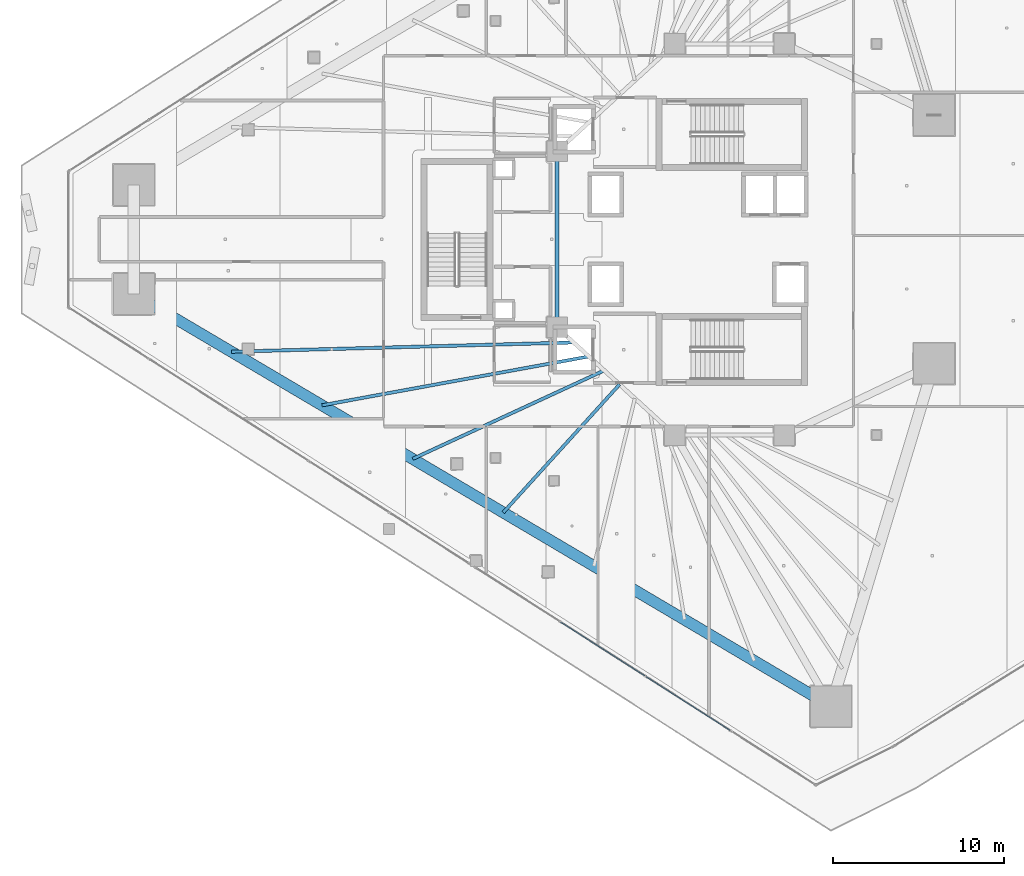
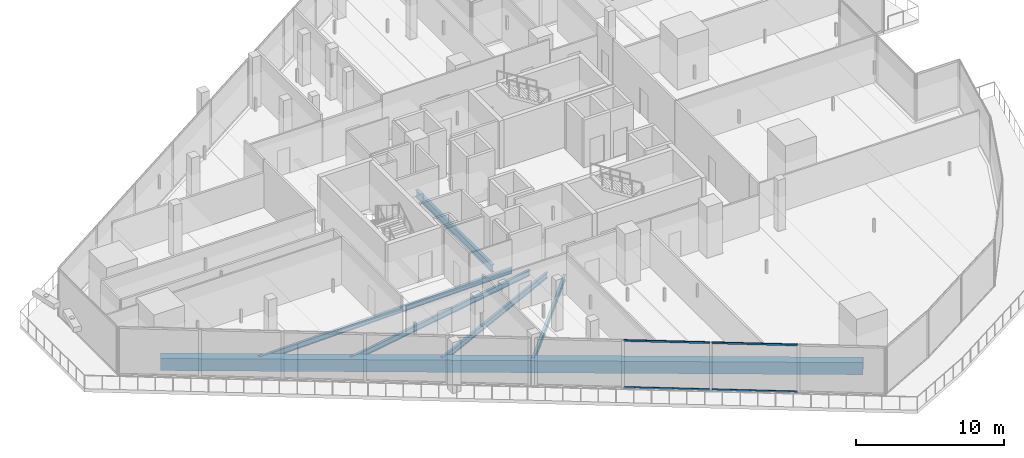
# One storey, part 6 of 47: 6 beams, 4 members, 1 element without a shape of its own.
"""IFC4 building model written with IfcOpenShell, lengths in metres."""

from ifc_helpers import new_model, si_unit, direction, frame, origin, origin_2d, place, context, subcontext, project, spatial, rectangle, hollow_rectangle, i_section, extrude, material, layer, layer_set, material_profile, profile_set, type_object, element, aggregate, save


model = new_model("IFC4")

# Units and contexts
model_context = context("Model", 3, precision=1e-05, world=origin(), true_north=direction((0.0, 1.0)))
body_context = subcontext(model_context, "Body", "Model", "MODEL_VIEW")
ifc_project = project(units=[si_unit("LENGTHUNIT", "METRE"), si_unit("AREAUNIT", "SQUARE_METRE"), si_unit("VOLUMEUNIT", "CUBIC_METRE"), si_unit("PLANEANGLEUNIT", "RADIAN"), si_unit("MASSUNIT", "GRAM", prefix="KILO")], contexts=[model_context])

# Site, building, storey
site_placement = place(None, origin())
site = spatial("IfcSite", under=ifc_project, at=site_placement, CompositionType="ELEMENT")
building_placement = place(site_placement, origin())
building = spatial("IfcBuilding", under=site, at=building_placement, Name="Qorvath Tower", CompositionType="ELEMENT")
storey_placement = place(building_placement, frame((0.0, 0.0, 82.800048828125)))
storey = spatial("IfcBuildingStorey", under=building, at=storey_placement, Name="L18", CompositionType="ELEMENT", Elevation=82.800048828125)

# Beams
ifc_material_1 = material(Name="Steel ASTM A992 Grade 50", Category="steel")
ifc_material_profile_1 = material_profile(ifc_material_1, i_section(OverallWidth=0.22998046875, OverallDepth=0.616943359375, WebThickness=0.01318359375, FlangeThickness=0.022216796875, FilletRadius=0.014892578125, at=origin_2d()), Name="W24x94")
ifc_profile_set_1 = profile_set([ifc_material_profile_1], Name="Steel ASTM A992 Grade 50")
beam_type_1 = type_object("IfcBeamType", Name="BM-FG6", PredefinedType="BEAM", material=ifc_profile_set_1)
beam_1_placement = place(storey_placement, frame((-30.5, -5.14990234375, -0.588623046875), z_axis=(0.0, 1.0, 0.0), x_axis=(-1.0, 0.0, 0.0)))
element("IfcBeam", 1, at=beam_1_placement, inside=storey, type_object=beam_type_1, Name="Core Ring Girder CC6-CC5 L18", PredefinedType="BEAM", context=body_context, shape_type="SweptSolid", body=[
    extrude(i_section(OverallWidth=0.22998046875, OverallDepth=0.616943359375, WebThickness=0.01318359375, FlangeThickness=0.022216796875, FilletRadius=0.014892578125, at=origin_2d()), origin(), (0.0, 0.0, 1.0), 10.2998046875),
])
ifc_material_2 = material(Name="Steel ASTM A992 Grade 50", Category="steel")
ifc_material_profile_2 = material_profile(ifc_material_2, i_section(OverallWidth=0.18994140625, OverallDepth=0.45703125, WebThickness=0.009033203125, FlangeThickness=0.014404296875, FilletRadius=0.011962890625, at=origin_2d()), Name="W18x50")
ifc_profile_set_2 = profile_set([ifc_material_profile_2], Name="Steel ASTM A992 Grade 50")
beam_type_2 = type_object("IfcBeamType", Name="BM-FJ2", PredefinedType="JOIST", material=ifc_profile_set_2)
beam_2_placement = place(storey_placement, frame((-29.533935546875, -6.031982421875, -0.508544921875), z_axis=(-0.999634925413, -0.02701880631, 0.0), x_axis=(0.02701880631, -0.999634925413, 0.0)))
element("IfcBeam", 2, at=beam_2_placement, inside=storey, type_object=beam_type_2, Name="Composite Floor Joist SW1 L18", PredefinedType="JOIST", context=body_context, shape_type="SweptSolid", body=[
    extrude(i_section(OverallWidth=0.18994140625, OverallDepth=0.45703125, WebThickness=0.009033203125, FlangeThickness=0.014404296875, FilletRadius=0.011962890625, at=origin_2d()), origin(), (0.0, 0.0, 1.0), 20.041748046875),
])
beam_3_placement = place(storey_placement, frame((-28.636962890625, -6.85107421875, -0.508544921875), z_axis=(-0.983656498786, -0.180055248176, 0.0), x_axis=(0.180055248176, -0.983656498786, 0.0)))
element("IfcBeam", 3, at=beam_3_placement, inside=storey, type_object=beam_type_2, Name="Composite Floor Joist SW2 L18", PredefinedType="JOIST", context=body_context, shape_type="SweptSolid", body=[
    extrude(i_section(OverallWidth=0.18994140625, OverallDepth=0.45703125, WebThickness=0.009033203125, FlangeThickness=0.014404296875, FilletRadius=0.011962890625, at=origin_2d()), origin(), (0.0, 0.0, 1.0), 15.884521484375),
])
beam_4_placement = place(storey_placement, frame((-27.739990234375, -7.669921875, -0.508544921875), z_axis=(-0.907881281747, -0.419227358665, 0.0), x_axis=(0.419227358665, -0.907881281747, 0.0)))
element("IfcBeam", 4, at=beam_4_placement, inside=storey, type_object=beam_type_2, Name="Composite Floor Joist SW3 L18", PredefinedType="JOIST", context=body_context, shape_type="SweptSolid", body=[
    extrude(i_section(OverallWidth=0.18994140625, OverallDepth=0.45703125, WebThickness=0.009033203125, FlangeThickness=0.014404296875, FilletRadius=0.011962890625, at=origin_2d()), origin(), (0.0, 0.0, 1.0), 12.353515625),
])
beam_5_placement = place(storey_placement, frame((-26.843017578125, -8.489013671875, -0.508544921875), z_axis=(-0.672128980215, -0.740434084815, 0.0), x_axis=(0.740434084815, -0.672128980215, 0.0)))
element("IfcBeam", 5, at=beam_5_placement, inside=storey, type_object=beam_type_2, Name="Composite Floor Joist SW4 L18", PredefinedType="JOIST", context=body_context, shape_type="SweptSolid", body=[
    extrude(i_section(OverallWidth=0.18994140625, OverallDepth=0.45703125, WebThickness=0.009033203125, FlangeThickness=0.014404296875, FilletRadius=0.011962890625, at=origin_2d()), origin(), (0.0, 0.0, 1.0), 10.1259765625),
])
ifc_material_3 = material(Name="Concrete C50/60", Category="concrete")
ifc_material_profile_3 = material_profile(ifc_material_3, rectangle(XDim=0.64990234375, YDim=1.0, at=origin_2d()), Name="RCB 1000x650")
ifc_profile_set_3 = profile_set([ifc_material_profile_3], Name="Concrete C50/60")
beam_type_3 = type_object("IfcBeamType", Name="BM-RCB1", PredefinedType="SPANDREL", material=ifc_profile_set_3)
beam_6_placement = place(storey_placement, frame((-55.282958984375, -3.194580078125, -0.780029296875), z_axis=(0.860777360917, -0.508981664633, 0.0), x_axis=(0.508981664633, 0.860777360917, 0.0)))
element("IfcBeam", 6, at=beam_6_placement, inside=storey, type_object=beam_type_3, Name="Perimeter Loggia Frame Beam MC2-MC3 L18", PredefinedType="SPANDREL", context=body_context, shape_type="SweptSolid", body=[
    extrude(rectangle(XDim=0.64990234375, YDim=1.0, at=origin_2d()), origin(), (0.0, 0.0, 1.0), 47.420654296875),
])

# Curtain wall, members
ifc_material_4 = material(Name="Anodised aluminium and triple low-E glass", Category="aluminium")
ifc_layer = layer(ifc_material_4, 0.179931640625)
ifc_layer_set = layer_set([ifc_layer], Name="CW-SYS-5")
curtain_wall_type = type_object("IfcCurtainWallType", Name="CW-SYS-5", PredefinedType="NOTDEFINED", material=ifc_layer_set)
curtain_wall_placement = place(storey_placement, origin())
curtain_wall = element("IfcCurtainWall", 7, at=curtain_wall_placement, inside=storey, type_object=curtain_wall_type, Name="Curtain Wall CW-5 CW-T-L18-6.2", PredefinedType="NOTDEFINED")
ifc_material_5 = material(Name="Anodised aluminium 6063-T6", Category="aluminium")
ifc_material_profile_4 = material_profile(ifc_material_5, hollow_rectangle(XDim=0.06494140625, YDim=0.159912109375, WallThickness=0.00341796875, InnerFilletRadius=0.00341796875, OuterFilletRadius=0.007080078125, at=origin_2d()), Name="CWT 160x65")
ifc_profile_set_4 = profile_set([ifc_material_profile_4], Name="Anodised aluminium 6063-T6")
member_type = type_object("IfcMemberType", Name="CWT-160", PredefinedType="USERDEFINED", material=ifc_profile_set_4)
member_1_placement = place(storey_placement, frame((-30.28369140625, -22.407958984375, 0.032470703125), z_axis=(0.84261255907, -0.538520264518, 0.0), x_axis=(0.538520264518, 0.84261255907, 0.0)))
member_1 = element("IfcMember", 8, at=member_1_placement, type_object=member_type, Name="CW-5 transom 2.1", ObjectType="TRANSOM", PredefinedType="USERDEFINED", context=body_context, shape_type="SweptSolid", body=[
    extrude(hollow_rectangle(XDim=0.06494140625, YDim=0.159912109375, WallThickness=0.00341796875, InnerFilletRadius=0.00341796875, OuterFilletRadius=0.007080078125, at=origin_2d()), origin(), (0.0, 0.0, 1.0), 5.845458984375),
])
member_2_placement = place(storey_placement, frame((-30.28369140625, -22.407958984375, 3.887451171875), z_axis=(0.84261255907, -0.538520264518, 0.0), x_axis=(0.538520264518, 0.84261255907, 0.0)))
member_2 = element("IfcMember", 9, at=member_2_placement, type_object=member_type, Name="CW-5 transom 2.2", ObjectType="TRANSOM", PredefinedType="USERDEFINED", context=body_context, shape_type="SweptSolid", body=[
    extrude(hollow_rectangle(XDim=0.06494140625, YDim=0.159912109375, WallThickness=0.00341796875, InnerFilletRadius=0.00341796875, OuterFilletRadius=0.007080078125, at=origin_2d()), origin(), (0.0, 0.0, 1.0), 5.845458984375),
])
member_3_placement = place(storey_placement, frame((-25.294921875, -25.596435546875, 0.032470703125), z_axis=(0.84261255907, -0.538520264518, 0.0), x_axis=(0.538520264518, 0.84261255907, 0.0)))
member_3 = element("IfcMember", 10, at=member_3_placement, type_object=member_type, Name="CW-5 transom 3.1", ObjectType="TRANSOM", PredefinedType="USERDEFINED", context=body_context, shape_type="SweptSolid", body=[
    extrude(hollow_rectangle(XDim=0.06494140625, YDim=0.159912109375, WallThickness=0.00341796875, InnerFilletRadius=0.00341796875, OuterFilletRadius=0.007080078125, at=origin_2d()), origin(), (0.0, 0.0, 1.0), 5.845458984375),
])
member_4_placement = place(storey_placement, frame((-25.294921875, -25.596435546875, 3.887451171875), z_axis=(0.84261255907, -0.538520264518, 0.0), x_axis=(0.538520264518, 0.84261255907, 0.0)))
member_4 = element("IfcMember", 11, at=member_4_placement, type_object=member_type, Name="CW-5 transom 3.2", ObjectType="TRANSOM", PredefinedType="USERDEFINED", context=body_context, shape_type="SweptSolid", body=[
    extrude(hollow_rectangle(XDim=0.06494140625, YDim=0.159912109375, WallThickness=0.00341796875, InnerFilletRadius=0.00341796875, OuterFilletRadius=0.007080078125, at=origin_2d()), origin(), (0.0, 0.0, 1.0), 5.845458984375),
])
aggregate(curtain_wall, [member_1, member_2, member_3, member_4])

save(model, "model.ifc")
